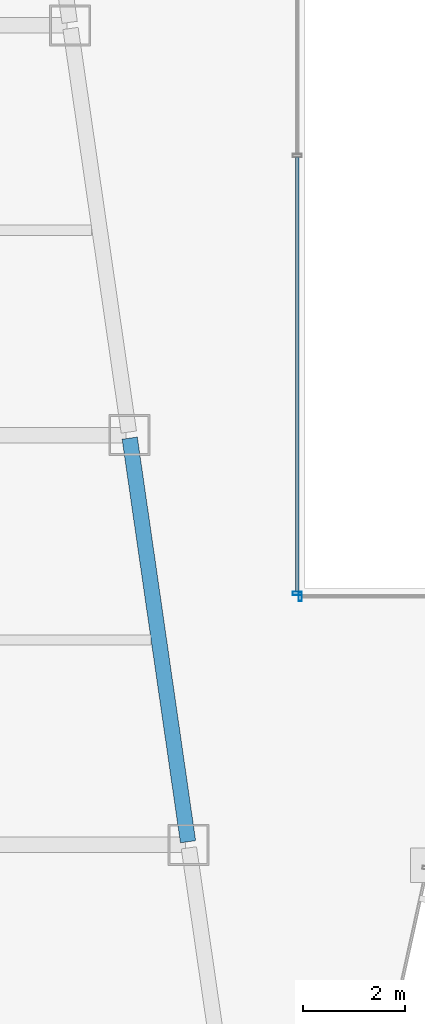
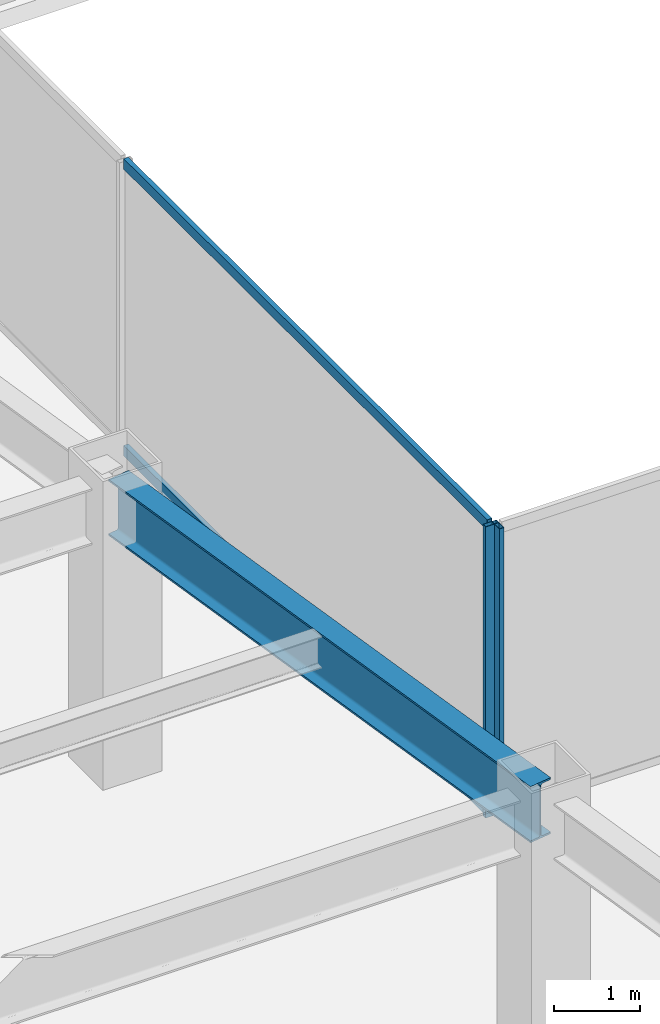
# One storey, part 12 of 47: 4 members, 1 beam, 2 elements without a shape of their own.
"""IFC4 building model written with IfcOpenShell, lengths in metres."""

from ifc_helpers import new_model, si_unit, direction, frame, origin, origin_2d, place, context, subcontext, project, spatial, hollow_rectangle, i_section, extrude, material, material_profile, profile_set, type_object, element, aggregate, save


model = new_model("IFC4")

# Units and contexts
model_context = context("Model", 3, precision=1e-05, world=origin(), true_north=direction((0.0, 1.0)))
body_context = subcontext(model_context, "Body", "Model", "MODEL_VIEW")
ifc_project = project(units=[si_unit("LENGTHUNIT", "METRE"), si_unit("AREAUNIT", "SQUARE_METRE"), si_unit("VOLUMEUNIT", "CUBIC_METRE"), si_unit("PLANEANGLEUNIT", "RADIAN"), si_unit("MASSUNIT", "GRAM", prefix="KILO")], contexts=[model_context])

# Site, building, storey
site_placement = place(None, origin())
site = spatial("IfcSite", under=ifc_project, at=site_placement, CompositionType="ELEMENT")
building_placement = place(site_placement, origin())
building = spatial("IfcBuilding", under=site, at=building_placement, Name="Saevonmaru Cultural Tower", CompositionType="ELEMENT")
storey_placement = place(building_placement, frame((0.0, 0.0, 60.39990234375)))
storey = spatial("IfcBuildingStorey", under=building, at=storey_placement, Name="L12", CompositionType="ELEMENT", Elevation=60.39990234375)

# Beam
ifc_material_1 = material(Name="Steel SM420", Category="steel")
ifc_material_profile_1 = material_profile(ifc_material_1, i_section(OverallWidth=0.300048828125, OverallDepth=0.800048828125, WebThickness=0.013916015625, FlangeThickness=0.02587890625, FilletRadius=0.028076171875, at=origin_2d()), Name="H-800x300x14x26")
ifc_profile_set_1 = profile_set([ifc_material_profile_1], Name="Steel SM420")
beam_type = type_object("IfcBeamType", Name="BM-G-H800", PredefinedType="BEAM", material=ifc_profile_set_1)
beam_placement = place(storey_placement, frame((21.91943359375, 16.059326171875, 3.75), z_axis=(-0.143022161059, 0.989719486241, 0.0), x_axis=(-0.989719486241, -0.143022161059, 0.0)))
element("IfcBeam", 1, at=beam_placement, inside=storey, type_object=beam_type, Name="L12 West Atrium Girder 3", PredefinedType="BEAM", context=body_context, shape_type="SweptSolid", body=[
    extrude(i_section(OverallWidth=0.300048828125, OverallDepth=0.800048828125, WebThickness=0.013916015625, FlangeThickness=0.02587890625, FilletRadius=0.028076171875, at=origin_2d()), origin(), (0.0, 0.0, 1.0), 7.963134765625),
])

# Curtain wall, member
ifc_material_2 = material(Name="Satin Bronze Anodised Aluminium", Category="aluminium")
curtain_wall_type = type_object("IfcCurtainWallType", Name="CW-ATR-GLZ", PredefinedType="NOTDEFINED", material=ifc_material_2)
curtain_wall_1_placement = place(storey_placement, origin())
curtain_wall_1 = element("IfcCurtainWall", 2, at=curtain_wall_1_placement, inside=storey, type_object=curtain_wall_type, Name="L12 Vertical Atrium Glazed Smoke Screen 1", PredefinedType="NOTDEFINED")
ifc_material_profile_2 = material_profile(ifc_material_2, hollow_rectangle(XDim=0.06494140625, YDim=0.179931640625, WallThickness=0.00390625, at=origin_2d()), Name="ALU-MULL-180x65x4")
ifc_profile_set_2 = profile_set([ifc_material_profile_2], Name="Satin Bronze Anodised Aluminium")
member_type_1 = type_object("IfcMemberType", Name="ML-CW-INT-180x65", PredefinedType="MULLION", material=ifc_profile_set_2)
member_1_placement = place(storey_placement, frame((24.110107421875, 20.85009765625, 0.0), z_axis=(0.0, 0.0, 1.0), x_axis=(1.0, 0.0, 0.0)))
member_1 = element("IfcMember", 3, at=member_1_placement, type_object=member_type_1, Name="CW-ATR-L12-1 mullion 1", PredefinedType="MULLION", context=body_context, shape_type="SweptSolid", body=[
    extrude(hollow_rectangle(XDim=0.06494140625, YDim=0.179931640625, WallThickness=0.00390625, at=origin_2d()), origin(), (0.0, 0.0, 1.0), 4.150146484375),
])
aggregate(curtain_wall_1, [member_1])

# Curtain wall, members
curtain_wall_2_placement = place(storey_placement, origin())
curtain_wall_2 = element("IfcCurtainWall", 4, at=curtain_wall_2_placement, inside=storey, type_object=curtain_wall_type, Name="L12 Vertical Atrium Glazed Smoke Screen 4", PredefinedType="NOTDEFINED")
member_2_placement = place(storey_placement, frame((24.050048828125, 20.909912109375, 0.0), z_axis=(0.0, 0.0, 1.0), x_axis=(0.0, -1.0, 0.0)))
member_2 = element("IfcMember", 5, at=member_2_placement, type_object=member_type_1, Name="CW-ATR-L12-4 mullion 3", PredefinedType="MULLION", context=body_context, shape_type="SweptSolid", body=[
    extrude(hollow_rectangle(XDim=0.06494140625, YDim=0.179931640625, WallThickness=0.00390625, at=origin_2d()), origin(), (0.0, 0.0, 1.0), 4.150146484375),
])
ifc_material_profile_3 = material_profile(ifc_material_2, hollow_rectangle(XDim=0.06494140625, YDim=0.14990234375, WallThickness=0.00390625, at=origin_2d()), Name="ALU-TRAN-150x65x4")
ifc_profile_set_3 = profile_set([ifc_material_profile_3], Name="Satin Bronze Anodised Aluminium")
member_type_2 = type_object("IfcMemberType", Name="TR-CW-INT-150x65", PredefinedType="USERDEFINED", material=ifc_profile_set_3)
member_3_placement = place(storey_placement, frame((24.050048828125, 29.427490234375, 0.03271484375), z_axis=(0.0, -1.0, 0.0), x_axis=(1.0, 0.0, 0.0)))
member_3 = element("IfcMember", 6, at=member_3_placement, type_object=member_type_2, Name="CW-ATR-L12-4 transom 2.1", ObjectType="TRANSOM", PredefinedType="USERDEFINED", context=body_context, shape_type="SweptSolid", body=[
    extrude(hollow_rectangle(XDim=0.06494140625, YDim=0.14990234375, WallThickness=0.00390625, at=origin_2d()), origin(), (0.0, 0.0, 1.0), 8.485107421875),
])
member_4_placement = place(storey_placement, frame((24.050048828125, 29.427490234375, 4.11767578125), z_axis=(0.0, -1.0, 0.0), x_axis=(1.0, 0.0, 0.0)))
member_4 = element("IfcMember", 7, at=member_4_placement, type_object=member_type_2, Name="CW-ATR-L12-4 transom 2.2", ObjectType="TRANSOM", PredefinedType="USERDEFINED", context=body_context, shape_type="SweptSolid", body=[
    extrude(hollow_rectangle(XDim=0.06494140625, YDim=0.14990234375, WallThickness=0.00390625, at=origin_2d()), origin(), (0.0, 0.0, 1.0), 8.485107421875),
])
aggregate(curtain_wall_2, [member_2, member_3, member_4])

save(model, "model.ifc")
